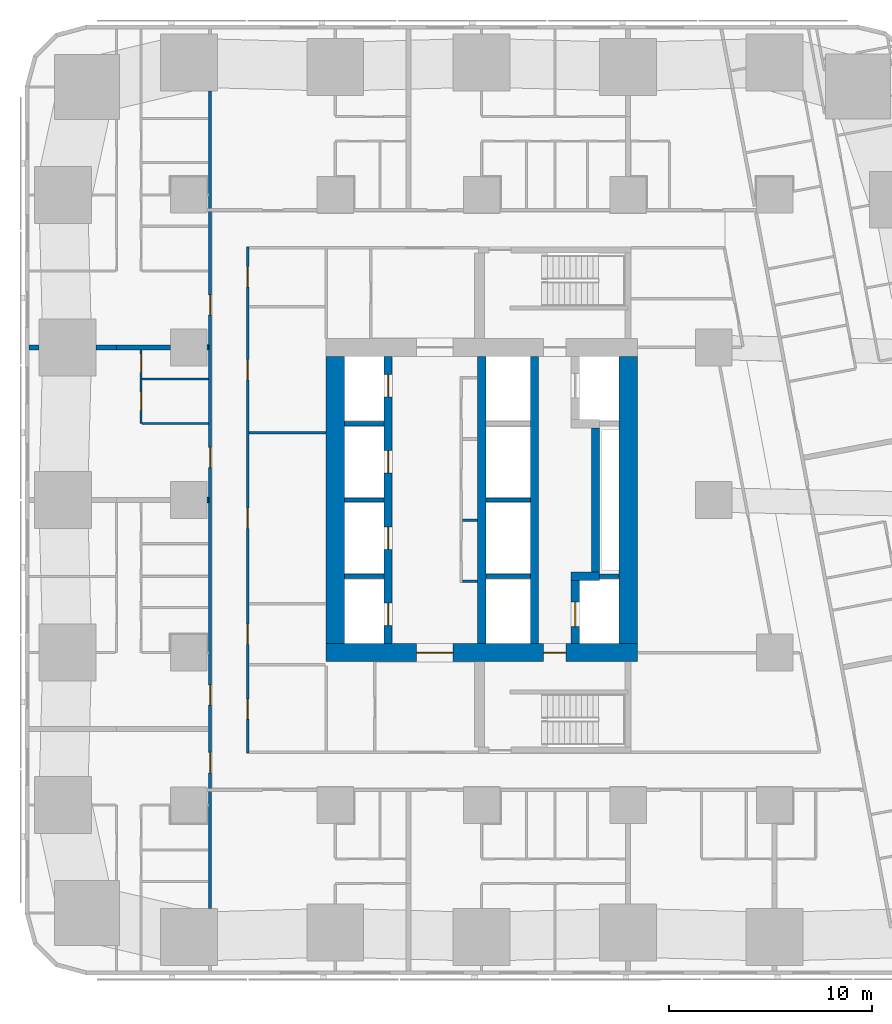
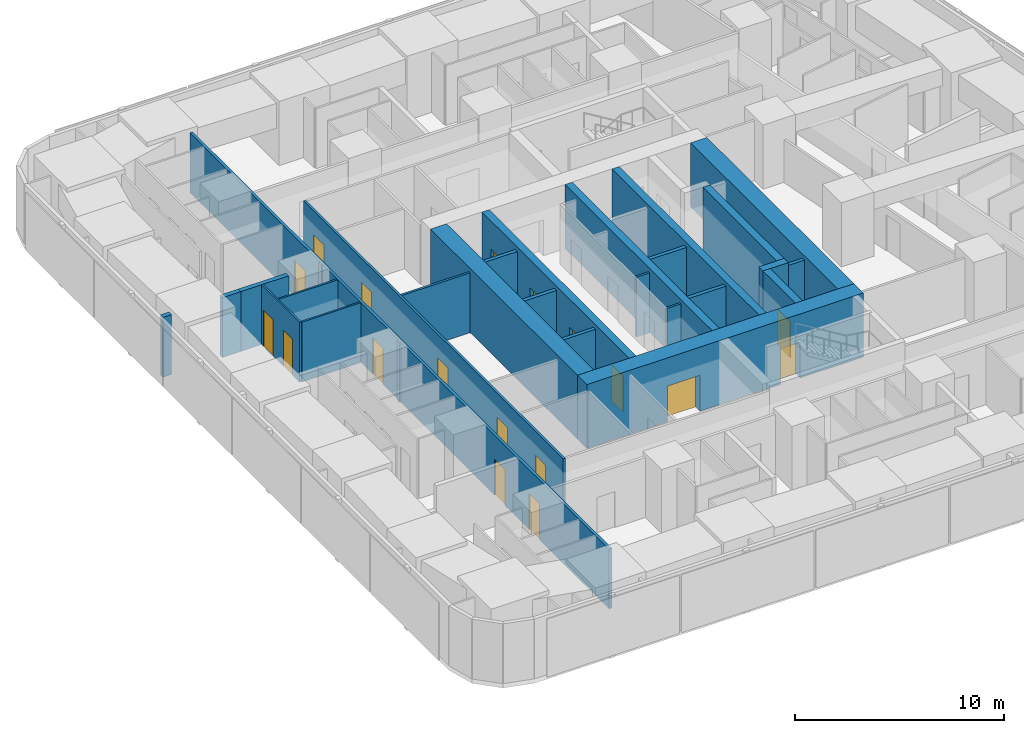
# One storey, part 6 of 16: 28 walls, 18 doors, 18 openings.
"""IFC4 building model written with IfcOpenShell, lengths in metres."""

from ifc_helpers import new_model, si_unit, direction, frame, frame_2d, origin, place, context, subcontext, project, spatial, rectangle, extrude, material, layer, layer_set, type_object, element, fill, save


model = new_model("IFC4")

# Units and contexts
model_context = context("Model", 3, precision=1e-05, world=origin(), true_north=direction((0.0, 1.0)))
body_context = subcontext(model_context, "Body", "Model", "MODEL_VIEW")
ifc_project = project(units=[si_unit("LENGTHUNIT", "METRE"), si_unit("AREAUNIT", "SQUARE_METRE"), si_unit("VOLUMEUNIT", "CUBIC_METRE"), si_unit("PLANEANGLEUNIT", "RADIAN"), si_unit("MASSUNIT", "GRAM", prefix="KILO")], contexts=[model_context])

# Site, building, storey
site_placement = place(None, origin())
site = spatial("IfcSite", under=ifc_project, at=site_placement, CompositionType="ELEMENT")
building_placement = place(site_placement, origin())
building = spatial("IfcBuilding", under=site, at=building_placement, Name="Sheger Commons Tower", CompositionType="ELEMENT")
storey_placement = place(building_placement, frame((0.0, 0.0, 57.5)))
storey = spatial("IfcBuildingStorey", under=building, at=storey_placement, Name="L14", CompositionType="ELEMENT", Elevation=57.5)

# Wall, openings, doors
ifc_material_1 = material(Name="Concrete C50/60", Category="concrete")
ifc_layer_1 = layer(ifc_material_1, 0.39990234375)
ifc_layer_set_1 = layer_set([ifc_layer_1], Name="CORE INNER WALL 400")
wall_type_1 = type_object("IfcWallType", Name="CORE INNER WALL 400", PredefinedType="SHEAR", material=ifc_layer_set_1)
wall_1_placement = place(storey_placement, frame((17.0, 15.449951171875, 0.0), z_axis=(0.0, 0.0, 1.0), x_axis=(0.0, 1.0, 0.0)))
wall_1 = element("IfcWall", 1, at=wall_1_placement, inside=storey, type_object=wall_type_1, Name="Core inner wall A L14", PredefinedType="SHEAR", context=body_context, shape_type="SweptSolid", body=[
    extrude(rectangle(XDim=14.10009765625, YDim=0.39990234375, at=frame_2d((7.050048828125, 0.0))), origin(), (0.0, 0.0, 1.0), 3.75),
])
opening_1_placement = place(wall_1_placement, frame((0.875, 0.0, 0.0)))
opening_1 = element("IfcOpeningElement", 2, at=opening_1_placement, cuts=wall_1, Name="Opening LD", PredefinedType="OPENING", context=body_context, shape_type="SweptSolid", body=[
    extrude(rectangle(XDim=1.10009765625, YDim=2.10009765625, at=frame_2d((0.550048828125, 1.050048828125))), frame((0.0, 0.2099609375, 0.0), z_axis=(0.0, -1.0, 0.0), x_axis=(1.0, 0.0, 0.0)), (0.0, 0.0, 1.0), 0.419921875),
])
opening_2_placement = place(wall_1_placement, frame((4.625, 0.0, 0.0)))
opening_2 = element("IfcOpeningElement", 3, at=opening_2_placement, cuts=wall_1, Name="Opening LD", PredefinedType="OPENING", context=body_context, shape_type="SweptSolid", body=[
    extrude(rectangle(XDim=1.10009765625, YDim=2.10009765625, at=frame_2d((0.550048828125, 1.050048828125))), frame((0.0, 0.2099609375, 0.0), z_axis=(0.0, -1.0, 0.0), x_axis=(1.0, 0.0, 0.0)), (0.0, 0.0, 1.0), 0.419921875),
])
opening_3_placement = place(wall_1_placement, frame((8.375, 0.0, 0.0)))
opening_3 = element("IfcOpeningElement", 4, at=opening_3_placement, cuts=wall_1, Name="Opening LD", PredefinedType="OPENING", context=body_context, shape_type="SweptSolid", body=[
    extrude(rectangle(XDim=1.10009765625, YDim=2.10009765625, at=frame_2d((0.550048828125, 1.050048828125))), frame((0.0, 0.2099609375, 0.0), z_axis=(0.0, -1.0, 0.0), x_axis=(1.0, 0.0, 0.0)), (0.0, 0.0, 1.0), 0.419921875),
])
opening_4_placement = place(wall_1_placement, frame((12.125, 0.0, 0.0)))
opening_4 = element("IfcOpeningElement", 5, at=opening_4_placement, cuts=wall_1, Name="Opening LD", PredefinedType="OPENING", context=body_context, shape_type="SweptSolid", body=[
    extrude(rectangle(XDim=1.10009765625, YDim=2.10009765625, at=frame_2d((0.550048828125, 1.050048828125))), frame((0.0, 0.2099609375, 0.0), z_axis=(0.0, -1.0, 0.0), x_axis=(1.0, 0.0, 0.0)), (0.0, 0.0, 1.0), 0.419921875),
])
ifc_material_2 = material(Name="Steel door set, fire rated", Category="steel")
door_type_1 = type_object("IfcDoorType", Name="LIFT LANDING DOOR 1100x2100", OperationType="DOUBLE_DOOR_SLIDING", PredefinedType="DOOR", material=ifc_material_2)
door_1_placement = place(opening_1_placement, origin())
door_1 = element("IfcDoor", 6, at=door_1_placement, inside=storey, type_object=door_type_1, Name="Lift LA1 landing door", OperationType="DOUBLE_DOOR_SLIDING", OverallHeight=2.10009765625, OverallWidth=1.10009765625, PredefinedType="DOOR", context=body_context, shape_type="SweptSolid", body=[
    extrude(rectangle(XDim=1.10009765625, YDim=2.10009765625, at=frame_2d((0.550048828125, 1.050048828125))), frame((0.0, 0.02490234375, 0.0), z_axis=(0.0, -1.0, 0.0), x_axis=(1.0, 0.0, 0.0)), (0.0, 0.0, 1.0), 0.050048828125),
])
fill(opening_1, door_1)
door_2_placement = place(opening_2_placement, origin())
door_2 = element("IfcDoor", 7, at=door_2_placement, inside=storey, type_object=door_type_1, Name="Lift LA2 landing door", OperationType="DOUBLE_DOOR_SLIDING", OverallHeight=2.10009765625, OverallWidth=1.10009765625, PredefinedType="DOOR", context=body_context, shape_type="SweptSolid", body=[
    extrude(rectangle(XDim=1.10009765625, YDim=2.10009765625, at=frame_2d((0.550048828125, 1.050048828125))), frame((0.0, 0.02490234375, 0.0), z_axis=(0.0, -1.0, 0.0), x_axis=(1.0, 0.0, 0.0)), (0.0, 0.0, 1.0), 0.050048828125),
])
fill(opening_2, door_2)
door_3_placement = place(opening_3_placement, origin())
door_3 = element("IfcDoor", 8, at=door_3_placement, inside=storey, type_object=door_type_1, Name="Lift LA3 landing door", OperationType="DOUBLE_DOOR_SLIDING", OverallHeight=2.10009765625, OverallWidth=1.10009765625, PredefinedType="DOOR", context=body_context, shape_type="SweptSolid", body=[
    extrude(rectangle(XDim=1.10009765625, YDim=2.10009765625, at=frame_2d((0.550048828125, 1.050048828125))), frame((0.0, 0.02490234375, 0.0), z_axis=(0.0, -1.0, 0.0), x_axis=(1.0, 0.0, 0.0)), (0.0, 0.0, 1.0), 0.050048828125),
])
fill(opening_3, door_3)
door_4_placement = place(opening_4_placement, origin())
door_4 = element("IfcDoor", 9, at=door_4_placement, inside=storey, type_object=door_type_1, Name="Lift LA4 landing door", OperationType="DOUBLE_DOOR_SLIDING", OverallHeight=2.10009765625, OverallWidth=1.10009765625, PredefinedType="DOOR", context=body_context, shape_type="SweptSolid", body=[
    extrude(rectangle(XDim=1.10009765625, YDim=2.10009765625, at=frame_2d((0.550048828125, 1.050048828125))), frame((0.0, 0.02490234375, 0.0), z_axis=(0.0, -1.0, 0.0), x_axis=(1.0, 0.0, 0.0)), (0.0, 0.0, 1.0), 0.050048828125),
])
fill(opening_4, door_4)

# Walls
for number, where, z_axis, x_axis, name in (
    (10, (21.60009765625, 15.449951171875, 0.0), (0.0, 0.0, 1.0), (0.0, 1.0, 0.0), "Core inner wall L L14"),
    (11, (24.199951171875, 15.449951171875, 0.0), (0.0, 0.0, 1.0), (0.0, 1.0, 0.0), "Core inner wall B L14"),
):
    element("IfcWall", number, at=place(storey_placement, frame(where, z_axis=z_axis, x_axis=x_axis)), inside=storey, type_object=wall_type_1, Name=name, PredefinedType="SHEAR", context=body_context, shape_type="SweptSolid", body=[
        extrude(rectangle(XDim=14.10009765625, YDim=0.39990234375, at=frame_2d((7.050048828125, 0.0))), origin(), (0.0, 0.0, 1.0), 3.75),
    ])

# Wall, opening, door
wall_2_placement = place(storey_placement, frame((26.199951171875, 15.449951171875, 0.0), z_axis=(0.0, 0.0, 1.0), x_axis=(0.0, 1.0, 0.0)))
wall_2 = element("IfcWall", 12, at=wall_2_placement, inside=storey, type_object=wall_type_1, Name="Core inner wall F L14", PredefinedType="SHEAR", context=body_context, shape_type="SweptSolid", body=[
    extrude(rectangle(XDim=3.10009765625, YDim=0.39990234375, at=frame_2d((1.550048828125, 0.0))), origin(), (0.0, 0.0, 1.0), 3.75),
])
opening_5_placement = place(wall_2_placement, frame((0.824951171875, 0.0, 0.0)))
opening_5 = element("IfcOpeningElement", 13, at=opening_5_placement, cuts=wall_2, Name="Opening LD2", PredefinedType="OPENING", context=body_context, shape_type="SweptSolid", body=[
    extrude(rectangle(XDim=1.199951171875, YDim=2.10009765625, at=frame_2d((0.60009765625, 1.050048828125))), frame((0.0, 0.2099609375, 0.0), z_axis=(0.0, -1.0, 0.0), x_axis=(1.0, 0.0, 0.0)), (0.0, 0.0, 1.0), 0.419921875),
])
ifc_material_3 = material(Name="Steel door set, fire rated", Category="steel")
door_type_2 = type_object("IfcDoorType", Name="FIREFIGHTING LIFT LANDING DOOR 1200x2100", OperationType="DOUBLE_DOOR_SLIDING", PredefinedType="DOOR", material=ifc_material_3)
door_5_placement = place(opening_5_placement, origin())
door_5 = element("IfcDoor", 14, at=door_5_placement, inside=storey, type_object=door_type_2, Name="Lift FL1 landing door", OperationType="DOUBLE_DOOR_SLIDING", OverallHeight=2.10009765625, OverallWidth=1.199951171875, PredefinedType="DOOR", context=body_context, shape_type="SweptSolid", body=[
    extrude(rectangle(XDim=1.199951171875, YDim=2.10009765625, at=frame_2d((0.60009765625, 1.050048828125))), frame((0.0, 0.02490234375, 0.0), z_axis=(0.0, -1.0, 0.0), x_axis=(1.0, 0.0, 0.0)), (0.0, 0.0, 1.0), 0.050048828125),
])
fill(opening_5, door_5)

# Walls
wall_3_placement = place(storey_placement, frame((26.0, 18.75, 0.0), z_axis=(0.0, 0.0, 1.0), x_axis=(1.0, 0.0, 0.0)))
element("IfcWall", 15, at=wall_3_placement, inside=storey, type_object=wall_type_1, Name="Core inner wall F south return L14", PredefinedType="SHEAR", context=body_context, shape_type="SweptSolid", body=[
    extrude(rectangle(XDim=1.39990234375, YDim=0.39990234375, at=frame_2d((0.699951171875, 0.0))), origin(), (0.0, 0.0, 1.0), 3.75),
])
wall_4_placement = place(storey_placement, frame((27.199951171875, 18.949951171875, 0.0), z_axis=(0.0, 0.0, 1.0), x_axis=(0.0, 1.0, 0.0)))
element("IfcWall", 16, at=wall_4_placement, inside=storey, type_object=wall_type_1, Name="Core inner wall F middle L14", PredefinedType="SHEAR", context=body_context, shape_type="SweptSolid", body=[
    extrude(rectangle(XDim=7.10009765625, YDim=0.39990234375, at=frame_2d((3.550048828125, 0.0))), origin(), (0.0, 0.0, 1.0), 3.75),
])

# Wall, openings, doors
ifc_material_4 = material(Name="Concrete C50/60", Category="concrete")
ifc_layer_2 = layer(ifc_material_4, 0.89990234375)
ifc_layer_set_2 = layer_set([ifc_layer_2], Name="CORE WALL 900")
wall_type_2 = type_object("IfcWallType", Name="CORE WALL 900", PredefinedType="SHEAR", material=ifc_layer_set_2)
wall_5_placement = place(storey_placement, frame((13.949951171875, 15.0, 0.0), z_axis=(0.0, 0.0, 1.0), x_axis=(1.0, 0.0, 0.0)))
wall_5 = element("IfcWall", 17, at=wall_5_placement, inside=storey, type_object=wall_type_2, Name="Core wall south L14", PredefinedType="SHEAR", context=body_context, shape_type="SweptSolid", body=[
    extrude(rectangle(XDim=15.300048828125, YDim=0.89990234375, at=frame_2d((7.64990234375, 0.0))), origin(), (0.0, 0.0, 1.0), 3.75),
])
opening_6_placement = place(wall_5_placement, frame((4.449951171875, 0.0, 0.0)))
opening_6 = element("IfcOpeningElement", 18, at=opening_6_placement, cuts=wall_5, Name="Opening D6", PredefinedType="OPENING", context=body_context, shape_type="SweptSolid", body=[
    extrude(rectangle(XDim=1.800048828125, YDim=2.10009765625, at=frame_2d((0.89990234375, 1.050048828125))), frame((0.0, 0.4599609375, 0.0), z_axis=(0.0, -1.0, 0.0), x_axis=(1.0, 0.0, 0.0)), (0.0, 0.0, 1.0), 0.919921875),
])
opening_7_placement = place(wall_5_placement, frame((10.699951171875, 0.0, 0.0)))
opening_7 = element("IfcOpeningElement", 19, at=opening_7_placement, cuts=wall_5, Name="Opening D5", PredefinedType="OPENING", context=body_context, shape_type="SweptSolid", body=[
    extrude(rectangle(XDim=1.10009765625, YDim=2.10009765625, at=frame_2d((0.550048828125, 1.050048828125))), frame((0.0, 0.4599609375, 0.0), z_axis=(0.0, -1.0, 0.0), x_axis=(1.0, 0.0, 0.0)), (0.0, 0.0, 1.0), 0.919921875),
])
ifc_material_5 = material(Name="Steel door set, fire rated", Category="steel")
door_type_3 = type_object("IfcDoorType", Name="LOBBY DOUBLE DOOR 1800x2100", OperationType="DOUBLE_DOOR_SINGLE_SWING", PredefinedType="DOOR", material=ifc_material_5)
door_6_placement = place(opening_6_placement, origin())
door_6 = element("IfcDoor", 20, at=door_6_placement, inside=storey, type_object=door_type_3, Name="Lift lobby door", OperationType="DOUBLE_DOOR_SINGLE_SWING", OverallHeight=2.10009765625, OverallWidth=1.800048828125, PredefinedType="DOOR", context=body_context, shape_type="SweptSolid", body=[
    extrude(rectangle(XDim=1.800048828125, YDim=2.10009765625, at=frame_2d((0.89990234375, 1.050048828125))), frame((0.0, 0.02490234375, 0.0), z_axis=(0.0, -1.0, 0.0), x_axis=(1.0, 0.0, 0.0)), (0.0, 0.0, 1.0), 0.050048828125),
])
fill(opening_6, door_6)
ifc_material_6 = material(Name="Steel door set, fire rated", Category="steel")
door_type_4 = type_object("IfcDoorType", Name="STAIR DOOR 1100x2100", OperationType="NOTDEFINED", PredefinedType="DOOR", material=ifc_material_6)
door_7_placement = place(opening_7_placement, origin())
door_7 = element("IfcDoor", 21, at=door_7_placement, inside=storey, type_object=door_type_4, Name="Fire-fighting lobby door", OperationType="SINGLE_SWING_LEFT", OverallHeight=2.10009765625, OverallWidth=1.10009765625, PredefinedType="DOOR", context=body_context, shape_type="SweptSolid", body=[
    extrude(rectangle(XDim=1.10009765625, YDim=2.10009765625, at=frame_2d((0.550048828125, 1.050048828125))), frame((0.0, 0.02490234375, 0.0), z_axis=(0.0, -1.0, 0.0), x_axis=(1.0, 0.0, 0.0)), (0.0, 0.0, 1.0), 0.050048828125),
])
fill(opening_7, door_7)

# Walls
for number, where, z_axis, x_axis, name in (
    (22, (14.39990234375, 15.449951171875, 0.0), (0.0, 0.0, 1.0), (0.0, 1.0, 0.0), "Core wall west L14"),
    (23, (28.800048828125, 15.449951171875, 0.0), (0.0, 0.0, 1.0), (0.0, 1.0, 0.0), "Core wall east L14"),
):
    element("IfcWall", number, at=place(storey_placement, frame(where, z_axis=z_axis, x_axis=x_axis)), inside=storey, type_object=wall_type_2, Name=name, PredefinedType="SHEAR", context=body_context, shape_type="SweptSolid", body=[
        extrude(rectangle(XDim=14.10009765625, YDim=0.89990234375, at=frame_2d((7.050048828125, 0.0))), origin(), (0.0, 0.0, 1.0), 3.75),
    ])

# Wall, openings, doors
ifc_material_7 = material(Name="Hollow concrete block masonry, skimmed both sides", Category="masonry")
ifc_layer_3 = layer(ifc_material_7, 0.14990234375)
ifc_layer_set_3 = layer_set([ifc_layer_3], Name="CORRIDOR WALL 150")
wall_type_3 = type_object("IfcWallType", Name="CORRIDOR WALL 150", PredefinedType="SOLIDWALL", material=ifc_layer_set_3)
wall_6_placement = place(storey_placement, frame((8.25, 2.426025390625, 0.0), z_axis=(0.0, 0.0, 1.0), x_axis=(0.0, 1.0, 0.0)))
wall_6 = element("IfcWall", 24, at=wall_6_placement, inside=storey, type_object=wall_type_3, Name="Corridor wall L14", PredefinedType="SOLIDWALL", context=body_context, shape_type="SweptSolid", body=[
    extrude(rectangle(XDim=40.173095703125, YDim=0.14990234375, at=frame_2d((20.08642578125, 0.0))), origin(), (0.0, 0.0, 1.0), 3.5),
])
opening_8_placement = place(wall_6_placement, frame((6.660888671875, 0.0, 0.0)))
opening_8 = element("IfcOpeningElement", 25, at=opening_8_placement, cuts=wall_6, Name="Opening D1", PredefinedType="OPENING", context=body_context, shape_type="SweptSolid", body=[
    extrude(rectangle(XDim=1.0, YDim=2.10009765625, at=frame_2d((0.5, 1.050048828125))), frame((0.0, 0.0849609375, 0.0), z_axis=(0.0, -1.0, 0.0), x_axis=(1.0, 0.0, 0.0)), (0.0, 0.0, 1.0), 0.169921875),
])
opening_9_placement = place(wall_6_placement, frame((9.986083984375, 0.0, 0.0)))
opening_9 = element("IfcOpeningElement", 26, at=opening_9_placement, cuts=wall_6, Name="Opening D1", PredefinedType="OPENING", context=body_context, shape_type="SweptSolid", body=[
    extrude(rectangle(XDim=1.0, YDim=2.10009765625, at=frame_2d((0.5, 1.050048828125))), frame((0.0, 0.0849609375, 0.0), z_axis=(0.0, -1.0, 0.0), x_axis=(1.0, 0.0, 0.0)), (0.0, 0.0, 1.0), 0.169921875),
])
opening_10_placement = place(wall_6_placement, frame((21.662109375, 0.0, 0.0)))
opening_10 = element("IfcOpeningElement", 27, at=opening_10_placement, cuts=wall_6, Name="Opening D1", PredefinedType="OPENING", context=body_context, shape_type="SweptSolid", body=[
    extrude(rectangle(XDim=1.0, YDim=2.10009765625, at=frame_2d((0.5, 1.050048828125))), frame((0.0, 0.0849609375, 0.0), z_axis=(0.0, -1.0, 0.0), x_axis=(1.0, 0.0, 0.0)), (0.0, 0.0, 1.0), 0.169921875),
])
opening_11_placement = place(wall_6_placement, frame((29.160888671875, 0.0, 0.0)))
opening_11 = element("IfcOpeningElement", 28, at=opening_11_placement, cuts=wall_6, Name="Opening D1", PredefinedType="OPENING", context=body_context, shape_type="SweptSolid", body=[
    extrude(rectangle(XDim=1.0, YDim=2.10009765625, at=frame_2d((0.5, 1.050048828125))), frame((0.0, 0.0849609375, 0.0), z_axis=(0.0, -1.0, 0.0), x_axis=(1.0, 0.0, 0.0)), (0.0, 0.0, 1.0), 0.169921875),
])
ifc_material_8 = material(Name="Steel door set, fire rated", Category="steel")
door_type_5 = type_object("IfcDoorType", Name="FLAT ENTRANCE DOOR 1000x2100", OperationType="NOTDEFINED", PredefinedType="DOOR", material=ifc_material_8)
door_8_placement = place(opening_8_placement, origin())
door_8 = element("IfcDoor", 29, at=door_8_placement, inside=storey, type_object=door_type_5, Name="Flat entrance door", OperationType="SINGLE_SWING_RIGHT", OverallHeight=2.10009765625, OverallWidth=1.0, PredefinedType="DOOR", context=body_context, shape_type="SweptSolid", body=[
    extrude(rectangle(XDim=1.0, YDim=2.10009765625, at=frame_2d((0.5, 1.050048828125))), frame((0.0, 0.02490234375, 0.0), z_axis=(0.0, -1.0, 0.0), x_axis=(1.0, 0.0, 0.0)), (0.0, 0.0, 1.0), 0.050048828125),
])
fill(opening_8, door_8)
door_9_placement = place(opening_9_placement, origin())
door_9 = element("IfcDoor", 30, at=door_9_placement, inside=storey, type_object=door_type_5, Name="Flat entrance door", OperationType="SINGLE_SWING_LEFT", OverallHeight=2.10009765625, OverallWidth=1.0, PredefinedType="DOOR", context=body_context, shape_type="SweptSolid", body=[
    extrude(rectangle(XDim=1.0, YDim=2.10009765625, at=frame_2d((0.5, 1.050048828125))), frame((0.0, 0.02490234375, 0.0), z_axis=(0.0, -1.0, 0.0), x_axis=(1.0, 0.0, 0.0)), (0.0, 0.0, 1.0), 0.050048828125),
])
fill(opening_9, door_9)
door_10_placement = place(opening_10_placement, origin())
door_10 = element("IfcDoor", 31, at=door_10_placement, inside=storey, type_object=door_type_5, Name="Flat entrance door", OperationType="SINGLE_SWING_RIGHT", OverallHeight=2.10009765625, OverallWidth=1.0, PredefinedType="DOOR", context=body_context, shape_type="SweptSolid", body=[
    extrude(rectangle(XDim=1.0, YDim=2.10009765625, at=frame_2d((0.5, 1.050048828125))), frame((0.0, 0.02490234375, 0.0), z_axis=(0.0, -1.0, 0.0), x_axis=(1.0, 0.0, 0.0)), (0.0, 0.0, 1.0), 0.050048828125),
])
fill(opening_10, door_10)
door_11_placement = place(opening_11_placement, origin())
door_11 = element("IfcDoor", 32, at=door_11_placement, inside=storey, type_object=door_type_5, Name="Flat entrance door", OperationType="SINGLE_SWING_RIGHT", OverallHeight=2.10009765625, OverallWidth=1.0, PredefinedType="DOOR", context=body_context, shape_type="SweptSolid", body=[
    extrude(rectangle(XDim=1.0, YDim=2.10009765625, at=frame_2d((0.5, 1.050048828125))), frame((0.0, 0.02490234375, 0.0), z_axis=(0.0, -1.0, 0.0), x_axis=(1.0, 0.0, 0.0)), (0.0, 0.0, 1.0), 0.050048828125),
])
fill(opening_11, door_11)

# Walls
ifc_material_9 = material(Name="Dense concrete block masonry, plastered both sides (separating wall between flats)", Category="masonry")
ifc_layer_4 = layer(ifc_material_9, 0.25)
ifc_layer_set_4 = layer_set([ifc_layer_4], Name="DEMISING WALL 250")
wall_type_4 = type_object("IfcWallType", Name="DEMISING WALL 250", PredefinedType="SOLIDWALL", material=ifc_layer_set_4)
wall_7_placement = place(storey_placement, frame((8.10107421875, 22.5, 0.0), z_axis=(0.0, 0.0, 1.0), x_axis=(1.0, 0.0, 0.0)))
element("IfcWall", 33, at=wall_7_placement, inside=storey, type_object=wall_type_4, Name="Demising wall L14", PredefinedType="SOLIDWALL", context=body_context, shape_type="SweptSolid", body=[
    extrude(rectangle(XDim=0.073974609375, YDim=0.25, at=frame_2d((0.037109375, 0.0))), origin(), (0.0, 0.0, 1.0), 3.5),
])
wall_8_placement = place(storey_placement, frame((-0.64990234375, 30.0, 0.0), z_axis=(0.0, 0.0, 1.0), x_axis=(1.0, 0.0, 0.0)))
element("IfcWall", 34, at=wall_8_placement, inside=storey, type_object=wall_type_4, Name="Demising wall L14", PredefinedType="SOLIDWALL", context=body_context, shape_type="SweptSolid", body=[
    extrude(rectangle(XDim=0.473876953125, YDim=0.25, at=frame_2d((0.23681640625, 0.0))), origin(), (0.0, 0.0, 1.0), 3.5),
])
wall_9_placement = place(storey_placement, frame((2.6259765625, 30.0, 0.0), z_axis=(0.0, 0.0, 1.0), x_axis=(1.0, 0.0, 0.0)))
element("IfcWall", 35, at=wall_9_placement, inside=storey, type_object=wall_type_4, Name="Demising wall L14", PredefinedType="SOLIDWALL", context=body_context, shape_type="SweptSolid", body=[
    extrude(rectangle(XDim=1.02392578125, YDim=0.25, at=frame_2d((0.511962890625, 0.0))), origin(), (0.0, 0.0, 1.0), 3.5),
])
wall_10_placement = place(storey_placement, frame((3.64990234375, 30.0, 0.0), z_axis=(0.0, 0.0, 1.0), x_axis=(1.0, 0.0, 0.0)))
element("IfcWall", 36, at=wall_10_placement, inside=storey, type_object=wall_type_4, Name="Demising wall L14", PredefinedType="SOLIDWALL", context=body_context, shape_type="SweptSolid", body=[
    extrude(rectangle(XDim=2.649169921875, YDim=0.25, at=frame_2d((1.32470703125, 0.0))), origin(), (0.0, 0.0, 1.0), 3.5),
])
wall_11_placement = place(storey_placement, frame((8.10107421875, 30.0, 0.0), z_axis=(0.0, 0.0, 1.0), x_axis=(1.0, 0.0, 0.0)))
element("IfcWall", 37, at=wall_11_placement, inside=storey, type_object=wall_type_4, Name="Demising wall L14", PredefinedType="SOLIDWALL", context=body_context, shape_type="SweptSolid", body=[
    extrude(rectangle(XDim=0.073974609375, YDim=0.25, at=frame_2d((0.037109375, 0.0))), origin(), (0.0, 0.0, 1.0), 3.5),
])

# Wall, openings, doors
ifc_material_10 = material(Name="Gypsum board on steel studs", Category="steel")
ifc_layer_5 = layer(ifc_material_10, 0.10009765625)
ifc_layer_set_5 = layer_set([ifc_layer_5], Name="PARTITION 100")
wall_type_5 = type_object("IfcWallType", Name="PARTITION 100", PredefinedType="PARTITIONING", material=ifc_layer_set_5)
wall_12_placement = place(storey_placement, frame((4.85009765625, 26.25, 0.0), z_axis=(0.0, 0.0, 1.0), x_axis=(0.0, 1.0, 0.0)))
wall_12 = element("IfcWall", 38, at=wall_12_placement, inside=storey, type_object=wall_type_5, Name="Partition L14", PredefinedType="PARTITIONING", context=body_context, shape_type="SweptSolid", body=[
    extrude(rectangle(XDim=3.625, YDim=0.10009765625, at=frame_2d((1.8125, 0.0))), origin(), (0.0, 0.0, 1.0), 3.5),
])
opening_12_placement = place(wall_12_placement, frame((0.655029296875, 0.0, 0.0)))
opening_12 = element("IfcOpeningElement", 39, at=opening_12_placement, cuts=wall_12, Name="Opening D2", PredefinedType="OPENING", context=body_context, shape_type="SweptSolid", body=[
    extrude(rectangle(XDim=0.89990234375, YDim=2.10009765625, at=frame_2d((0.449951171875, 1.050048828125))), frame((0.0, 0.06005859375, 0.0), z_axis=(0.0, -1.0, 0.0), x_axis=(1.0, 0.0, 0.0)), (0.0, 0.0, 1.0), 0.1201171875),
])
opening_13_placement = place(wall_12_placement, frame((2.530029296875, 0.0, 0.0)))
opening_13 = element("IfcOpeningElement", 40, at=opening_13_placement, cuts=wall_12, Name="Opening D2", PredefinedType="OPENING", context=body_context, shape_type="SweptSolid", body=[
    extrude(rectangle(XDim=0.89990234375, YDim=2.10009765625, at=frame_2d((0.449951171875, 1.050048828125))), frame((0.0, 0.06005859375, 0.0), z_axis=(0.0, -1.0, 0.0), x_axis=(1.0, 0.0, 0.0)), (0.0, 0.0, 1.0), 0.1201171875),
])
ifc_material_11 = material(Name="Timber door set", Category="wood")
door_type_6 = type_object("IfcDoorType", Name="INTERNAL DOOR 900x2100", OperationType="NOTDEFINED", PredefinedType="DOOR", material=ifc_material_11)
door_12_placement = place(opening_12_placement, origin())
door_12 = element("IfcDoor", 41, at=door_12_placement, inside=storey, type_object=door_type_6, Name="Bathroom door", OperationType="SINGLE_SWING_RIGHT", OverallHeight=2.10009765625, OverallWidth=0.89990234375, PredefinedType="DOOR", context=body_context, shape_type="SweptSolid", body=[
    extrude(rectangle(XDim=0.89990234375, YDim=2.10009765625, at=frame_2d((0.449951171875, 1.050048828125))), frame((0.0, 0.02490234375, 0.0), z_axis=(0.0, -1.0, 0.0), x_axis=(1.0, 0.0, 0.0)), (0.0, 0.0, 1.0), 0.050048828125),
])
fill(opening_12, door_12)
door_13_placement = place(opening_13_placement, origin())
door_13 = element("IfcDoor", 42, at=door_13_placement, inside=storey, type_object=door_type_6, Name="Store door", OperationType="SINGLE_SWING_LEFT", OverallHeight=2.10009765625, OverallWidth=0.89990234375, PredefinedType="DOOR", context=body_context, shape_type="SweptSolid", body=[
    extrude(rectangle(XDim=0.89990234375, YDim=2.10009765625, at=frame_2d((0.449951171875, 1.050048828125))), frame((0.0, 0.02490234375, 0.0), z_axis=(0.0, -1.0, 0.0), x_axis=(1.0, 0.0, 0.0)), (0.0, 0.0, 1.0), 0.050048828125),
])
fill(opening_13, door_13)

# Walls
for number, where, z_axis, x_axis, name in (
    (43, (4.89990234375, 26.25, 0.0), (0.0, 0.0, 1.0), (1.0, 0.0, 0.0), "Partition L14"),
    (44, (4.89990234375, 28.4599609375, 0.0), (0.0, 0.0, 1.0), (1.0, 0.0, 0.0), "Partition L14"),
):
    element("IfcWall", number, at=place(storey_placement, frame(where, z_axis=z_axis, x_axis=x_axis)), inside=storey, type_object=wall_type_5, Name=name, PredefinedType="PARTITIONING", context=body_context, shape_type="SweptSolid", body=[
        extrude(rectangle(XDim=3.275146484375, YDim=0.10009765625, at=frame_2d((1.6376953125, 0.0))), origin(), (0.0, 0.0, 1.0), 3.5),
    ])

# Wall, openings, doors
ifc_material_12 = material(Name="Gypsum board on steel studs, two layers each side, fire rated", Category="steel")
ifc_layer_6 = layer(ifc_material_12, 0.125)
ifc_layer_set_6 = layer_set([ifc_layer_6], Name="SERVICE WALL 125")
wall_type_6 = type_object("IfcWallType", Name="SERVICE WALL 125", PredefinedType="PARTITIONING", material=ifc_layer_set_6)
wall_13_placement = place(storey_placement, frame((10.10009765625, 10.050048828125, 0.0), z_axis=(0.0, 0.0, 1.0), x_axis=(0.0, 1.0, 0.0)))
wall_13 = element("IfcWall", 45, at=wall_13_placement, inside=storey, type_object=wall_type_6, Name="Service room wall L14", PredefinedType="PARTITIONING", context=body_context, shape_type="SweptSolid", body=[
    extrude(rectangle(XDim=24.89990234375, YDim=0.125, at=frame_2d((12.449951171875, 0.0))), origin(), (0.0, 0.0, 1.0), 3.5),
])
opening_14_placement = place(wall_13_placement, frame((1.675048828125, 0.0, 0.0)))
opening_14 = element("IfcOpeningElement", 46, at=opening_14_placement, cuts=wall_13, Name="Opening D4", PredefinedType="OPENING", context=body_context, shape_type="SweptSolid", body=[
    extrude(rectangle(XDim=1.0, YDim=2.10009765625, at=frame_2d((0.5, 1.050048828125))), frame((0.0, 0.072509765625, 0.0), z_axis=(0.0, -1.0, 0.0), x_axis=(1.0, 0.0, 0.0)), (0.0, 0.0, 1.0), 0.14501953125),
])
opening_15_placement = place(wall_13_placement, frame((5.35009765625, 0.0, 0.0)))
opening_15 = element("IfcOpeningElement", 47, at=opening_15_placement, cuts=wall_13, Name="Opening D4", PredefinedType="OPENING", context=body_context, shape_type="SweptSolid", body=[
    extrude(rectangle(XDim=1.0, YDim=2.10009765625, at=frame_2d((0.5, 1.050048828125))), frame((0.0, 0.072509765625, 0.0), z_axis=(0.0, -1.0, 0.0), x_axis=(1.0, 0.0, 0.0)), (0.0, 0.0, 1.0), 0.14501953125),
])
opening_16_placement = place(wall_13_placement, frame((11.050048828125, 0.0, 0.0)))
opening_16 = element("IfcOpeningElement", 48, at=opening_16_placement, cuts=wall_13, Name="Opening D4", PredefinedType="OPENING", context=body_context, shape_type="SweptSolid", body=[
    extrude(rectangle(XDim=1.0, YDim=2.10009765625, at=frame_2d((0.5, 1.050048828125))), frame((0.0, 0.072509765625, 0.0), z_axis=(0.0, -1.0, 0.0), x_axis=(1.0, 0.0, 0.0)), (0.0, 0.0, 1.0), 0.14501953125),
])
opening_17_placement = place(wall_13_placement, frame((18.35009765625, 0.0, 0.0)))
opening_17 = element("IfcOpeningElement", 49, at=opening_17_placement, cuts=wall_13, Name="Opening D4", PredefinedType="OPENING", context=body_context, shape_type="SweptSolid", body=[
    extrude(rectangle(XDim=1.0, YDim=2.10009765625, at=frame_2d((0.5, 1.050048828125))), frame((0.0, 0.072509765625, 0.0), z_axis=(0.0, -1.0, 0.0), x_axis=(1.0, 0.0, 0.0)), (0.0, 0.0, 1.0), 0.14501953125),
])
opening_18_placement = place(wall_13_placement, frame((22.925048828125, 0.0, 0.0)))
opening_18 = element("IfcOpeningElement", 50, at=opening_18_placement, cuts=wall_13, Name="Opening D4", PredefinedType="OPENING", context=body_context, shape_type="SweptSolid", body=[
    extrude(rectangle(XDim=1.0, YDim=2.10009765625, at=frame_2d((0.5, 1.050048828125))), frame((0.0, 0.072509765625, 0.0), z_axis=(0.0, -1.0, 0.0), x_axis=(1.0, 0.0, 0.0)), (0.0, 0.0, 1.0), 0.14501953125),
])
ifc_material_13 = material(Name="Steel door set, fire rated", Category="steel")
door_type_7 = type_object("IfcDoorType", Name="SERVICE DOOR 1000x2100", OperationType="NOTDEFINED", PredefinedType="DOOR", material=ifc_material_13)
door_14_placement = place(opening_14_placement, origin())
door_14 = element("IfcDoor", 51, at=door_14_placement, inside=storey, type_object=door_type_7, Name="Refuse chute room door", OperationType="SINGLE_SWING_RIGHT", OverallHeight=2.10009765625, OverallWidth=1.0, PredefinedType="DOOR", context=body_context, shape_type="SweptSolid", body=[
    extrude(rectangle(XDim=1.0, YDim=2.10009765625, at=frame_2d((0.5, 1.050048828125))), frame((0.0, 0.02490234375, 0.0), z_axis=(0.0, -1.0, 0.0), x_axis=(1.0, 0.0, 0.0)), (0.0, 0.0, 1.0), 0.050048828125),
])
fill(opening_14, door_14)
door_15_placement = place(opening_15_placement, origin())
door_15 = element("IfcDoor", 52, at=door_15_placement, inside=storey, type_object=door_type_7, Name="Recycling room door", OperationType="SINGLE_SWING_LEFT", OverallHeight=2.10009765625, OverallWidth=1.0, PredefinedType="DOOR", context=body_context, shape_type="SweptSolid", body=[
    extrude(rectangle(XDim=1.0, YDim=2.10009765625, at=frame_2d((0.5, 1.050048828125))), frame((0.0, 0.02490234375, 0.0), z_axis=(0.0, -1.0, 0.0), x_axis=(1.0, 0.0, 0.0)), (0.0, 0.0, 1.0), 0.050048828125),
])
fill(opening_15, door_15)
door_16_placement = place(opening_16_placement, origin())
door_16 = element("IfcDoor", 53, at=door_16_placement, inside=storey, type_object=door_type_7, Name="Children's play room door", OperationType="SINGLE_SWING_LEFT", OverallHeight=2.10009765625, OverallWidth=1.0, PredefinedType="DOOR", context=body_context, shape_type="SweptSolid", body=[
    extrude(rectangle(XDim=1.0, YDim=2.10009765625, at=frame_2d((0.5, 1.050048828125))), frame((0.0, 0.02490234375, 0.0), z_axis=(0.0, -1.0, 0.0), x_axis=(1.0, 0.0, 0.0)), (0.0, 0.0, 1.0), 0.050048828125),
])
fill(opening_16, door_16)
door_17_placement = place(opening_17_placement, origin())
door_17 = element("IfcDoor", 54, at=door_17_placement, inside=storey, type_object=door_type_7, Name="Laundry and drying room door", OperationType="SINGLE_SWING_LEFT", OverallHeight=2.10009765625, OverallWidth=1.0, PredefinedType="DOOR", context=body_context, shape_type="SweptSolid", body=[
    extrude(rectangle(XDim=1.0, YDim=2.10009765625, at=frame_2d((0.5, 1.050048828125))), frame((0.0, 0.02490234375, 0.0), z_axis=(0.0, -1.0, 0.0), x_axis=(1.0, 0.0, 0.0)), (0.0, 0.0, 1.0), 0.050048828125),
])
fill(opening_17, door_17)
door_18_placement = place(opening_18_placement, origin())
door_18 = element("IfcDoor", 55, at=door_18_placement, inside=storey, type_object=door_type_7, Name="Cleaner's store door", OperationType="SINGLE_SWING_LEFT", OverallHeight=2.10009765625, OverallWidth=1.0, PredefinedType="DOOR", context=body_context, shape_type="SweptSolid", body=[
    extrude(rectangle(XDim=1.0, YDim=2.10009765625, at=frame_2d((0.5, 1.050048828125))), frame((0.0, 0.02490234375, 0.0), z_axis=(0.0, -1.0, 0.0), x_axis=(1.0, 0.0, 0.0)), (0.0, 0.0, 1.0), 0.050048828125),
])
fill(opening_18, door_18)

# Walls
wall_14_placement = place(storey_placement, frame((10.1630859375, 25.800048828125, 0.0), z_axis=(0.0, 0.0, 1.0), x_axis=(1.0, 0.0, 0.0)))
element("IfcWall", 56, at=wall_14_placement, inside=storey, type_object=wall_type_6, Name="Service room wall L14", PredefinedType="PARTITIONING", context=body_context, shape_type="SweptSolid", body=[
    extrude(rectangle(XDim=3.786865234375, YDim=0.125, at=frame_2d((1.8935546875, 0.0))), origin(), (0.0, 0.0, 1.0), 3.5),
])
for number, where, z_axis, x_axis, name in (
    (57, (20.6630859375, 18.5, 0.0), (0.0, 0.0, 1.0), (1.0, 0.0, 0.0), "Service room wall L14"),
    (58, (20.6630859375, 21.5, 0.0), (0.0, 0.0, 1.0), (1.0, 0.0, 0.0), "Service room wall L14"),
):
    element("IfcWall", number, at=place(storey_placement, frame(where, z_axis=z_axis, x_axis=x_axis)), inside=storey, type_object=wall_type_6, Name=name, PredefinedType="PARTITIONING", context=body_context, shape_type="SweptSolid", body=[
        extrude(rectangle(XDim=0.73681640625, YDim=0.125, at=frame_2d((0.368408203125, 0.0))), origin(), (0.0, 0.0, 1.0), 3.5),
    ])
ifc_material_14 = material(Name="Hollow concrete block masonry", Category="masonry")
ifc_layer_7 = layer(ifc_material_14, 0.199951171875)
ifc_layer_set_7 = layer_set([ifc_layer_7], Name="SHAFT WALL 200")
wall_type_7 = type_object("IfcWallType", Name="SHAFT WALL 200", PredefinedType="SOLIDWALL", material=ifc_layer_set_7)
wall_15_placement = place(storey_placement, frame((14.85009765625, 18.75, 0.0), z_axis=(0.0, 0.0, 1.0), x_axis=(1.0, 0.0, 0.0)))
element("IfcWall", 59, at=wall_15_placement, inside=storey, type_object=wall_type_7, Name="Lift shaft wall L14", PredefinedType="SOLIDWALL", context=body_context, shape_type="SweptSolid", body=[
    extrude(rectangle(XDim=1.949951171875, YDim=0.199951171875, at=frame_2d((0.97509765625, 0.0))), origin(), (0.0, 0.0, 1.0), 3.5),
])
wall_16_placement = place(storey_placement, frame((21.800048828125, 18.75, 0.0), z_axis=(0.0, 0.0, 1.0), x_axis=(1.0, 0.0, 0.0)))
element("IfcWall", 60, at=wall_16_placement, inside=storey, type_object=wall_type_7, Name="Lift shaft wall L14", PredefinedType="SOLIDWALL", context=body_context, shape_type="SweptSolid", body=[
    extrude(rectangle(XDim=2.199951171875, YDim=0.199951171875, at=frame_2d((1.10009765625, 0.0))), origin(), (0.0, 0.0, 1.0), 3.5),
])
wall_17_placement = place(storey_placement, frame((14.85009765625, 22.5, 0.0), z_axis=(0.0, 0.0, 1.0), x_axis=(1.0, 0.0, 0.0)))
element("IfcWall", 61, at=wall_17_placement, inside=storey, type_object=wall_type_7, Name="Lift shaft wall L14", PredefinedType="SOLIDWALL", context=body_context, shape_type="SweptSolid", body=[
    extrude(rectangle(XDim=1.949951171875, YDim=0.199951171875, at=frame_2d((0.97509765625, 0.0))), origin(), (0.0, 0.0, 1.0), 3.5),
])
wall_18_placement = place(storey_placement, frame((21.800048828125, 22.5, 0.0), z_axis=(0.0, 0.0, 1.0), x_axis=(1.0, 0.0, 0.0)))
element("IfcWall", 62, at=wall_18_placement, inside=storey, type_object=wall_type_7, Name="Lift shaft wall L14", PredefinedType="SOLIDWALL", context=body_context, shape_type="SweptSolid", body=[
    extrude(rectangle(XDim=2.199951171875, YDim=0.199951171875, at=frame_2d((1.10009765625, 0.0))), origin(), (0.0, 0.0, 1.0), 3.5),
])
wall_19_placement = place(storey_placement, frame((14.85009765625, 26.25, 0.0), z_axis=(0.0, 0.0, 1.0), x_axis=(1.0, 0.0, 0.0)))
element("IfcWall", 63, at=wall_19_placement, inside=storey, type_object=wall_type_7, Name="Lift shaft wall L14", PredefinedType="SOLIDWALL", context=body_context, shape_type="SweptSolid", body=[
    extrude(rectangle(XDim=1.949951171875, YDim=0.199951171875, at=frame_2d((0.97509765625, 0.0))), origin(), (0.0, 0.0, 1.0), 3.5),
])
wall_20_placement = place(storey_placement, frame((27.39990234375, 18.75, 0.0), z_axis=(0.0, 0.0, 1.0), x_axis=(1.0, 0.0, 0.0)))
element("IfcWall", 64, at=wall_20_placement, inside=storey, type_object=wall_type_7, Name="Lift shaft wall L14", PredefinedType="SOLIDWALL", context=body_context, shape_type="SweptSolid", body=[
    extrude(rectangle(XDim=0.9501953125, YDim=0.199951171875, at=frame_2d((0.47509765625, 0.0))), origin(), (0.0, 0.0, 1.0), 3.5),
])

save(model, "model.ifc")
